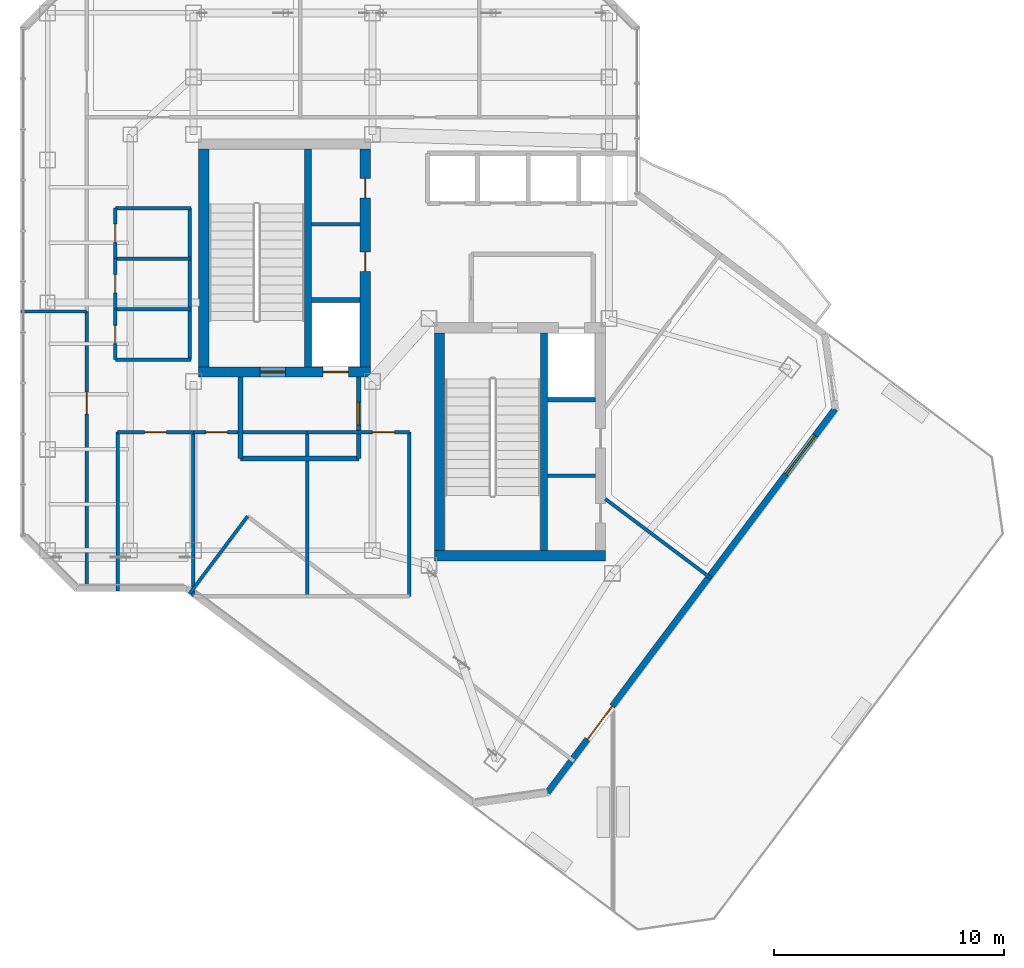
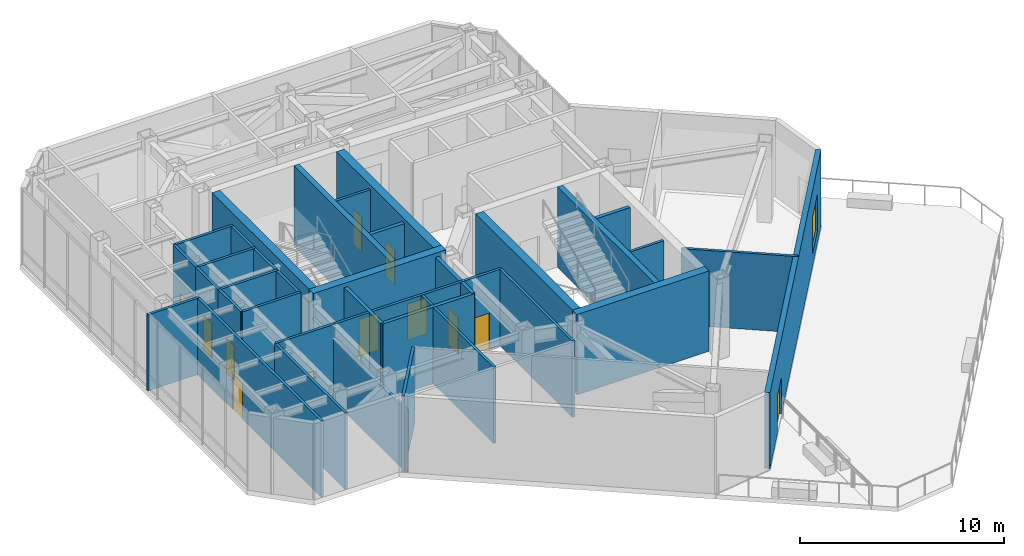
# One storey, part 16 of 21: 34 walls, 13 doors, 1 window, 14 openings.
"""IFC4 building model written with IfcOpenShell, lengths in metres."""

from ifc_helpers import new_model, si_unit, direction, frame, frame_2d, origin, place, context, subcontext, project, spatial, rectangle, extrude, material, layer, layer_set, type_object, element, fill, save


model = new_model("IFC4")

# Units and contexts
model_context = context("Model", 3, precision=1e-05, world=origin(), true_north=direction((0.0, 1.0)))
body_context = subcontext(model_context, "Body", "Model", "MODEL_VIEW")
ifc_project = project(units=[si_unit("LENGTHUNIT", "METRE"), si_unit("AREAUNIT", "SQUARE_METRE"), si_unit("VOLUMEUNIT", "CUBIC_METRE"), si_unit("PLANEANGLEUNIT", "RADIAN"), si_unit("MASSUNIT", "GRAM", prefix="KILO")], contexts=[model_context])

# Site, building, storey
site_placement = place(None, origin())
site = spatial("IfcSite", under=ifc_project, at=site_placement, CompositionType="ELEMENT")
building_placement = place(site_placement, origin())
building = spatial("IfcBuilding", under=site, at=building_placement, Name="Hatsunagi Terrace Concourse", CompositionType="ELEMENT")
storey_placement = place(building_placement, frame((0.0, 0.0, 234.75)))
storey = spatial("IfcBuildingStorey", under=building, at=storey_placement, Name="L62", CompositionType="ELEMENT", Elevation=234.75)

# Wall, openings, doors
ifc_material_1 = material(Name="Concrete Fc42", Category="concrete")
ifc_layer_1 = layer(ifc_material_1, 0.449951171875)
ifc_layer_set_1 = layer_set([ifc_layer_1], Name="CoreShearWall_Fc42_450")
wall_type_1 = type_object("IfcWallType", Name="CoreShearWall_Fc42_450", PredefinedType="SHEAR", material=ifc_layer_set_1)
wall_1_placement = place(storey_placement, frame((25.77001953125, 32.965087890625, 0.0), z_axis=(0.0, 0.0, 1.0), x_axis=(1.0, 0.0, 0.0)))
wall_1 = element("IfcWall", 1, at=wall_1_placement, inside=storey, type_object=wall_type_1, Name="Core A Shear Wall S L62", PredefinedType="SHEAR", context=body_context, shape_type="SweptSolid", body=[
    extrude(rectangle(XDim=7.47998046875, YDim=0.449951171875, at=frame_2d((3.739990234375, 0.0))), origin(), (0.0, 0.0, 1.0), 4.800048828125),
])
opening_1_placement = place(wall_1_placement, frame((2.679931640625, 0.0, 0.0)))
opening_1 = element("IfcOpeningElement", 2, at=opening_1_placement, cuts=wall_1, Name="Opening DR-110S", PredefinedType="OPENING", context=body_context, shape_type="SweptSolid", body=[
    extrude(rectangle(XDim=1.10009765625, YDim=2.199951171875, at=frame_2d((0.550048828125, 1.10009765625))), frame((0.0, 0.23486328125, 0.0), z_axis=(0.0, -1.0, 0.0), x_axis=(1.0, 0.0, 0.0)), (0.0, 0.0, 1.0), 0.469970703125),
])
opening_2_placement = place(wall_1_placement, frame((5.429931640625, 0.0, 0.0)))
opening_2 = element("IfcOpeningElement", 3, at=opening_2_placement, cuts=wall_1, Name="Opening LD-01", PredefinedType="OPENING", context=body_context, shape_type="SweptSolid", body=[
    extrude(rectangle(XDim=1.10009765625, YDim=2.14990234375, at=frame_2d((0.550048828125, 1.074951171875))), frame((0.0, 0.23486328125, 0.0), z_axis=(0.0, -1.0, 0.0), x_axis=(1.0, 0.0, 0.0)), (0.0, 0.0, 1.0), 0.469970703125),
])
ifc_material_2 = material(Name="Stainless steel", Category="steel")
door_type_1 = type_object("IfcDoorType", Name="LiftLandingDoor_LD01", OperationType="SLIDING_TO_LEFT", PredefinedType="USERDEFINED", material=ifc_material_2)
door_1_placement = place(opening_2_placement, origin())
door_1 = element("IfcDoor", 4, at=door_1_placement, inside=storey, type_object=door_type_1, Name="Lift landing door FF-01 L62", ObjectType="SLIDING_LANDING_DOOR", OperationType="SLIDING_TO_LEFT", OverallHeight=2.14990234375, OverallWidth=1.10009765625, PredefinedType="USERDEFINED", context=body_context, shape_type="SweptSolid", body=[
    extrude(rectangle(XDim=1.10009765625, YDim=2.14990234375, at=frame_2d((0.550048828125, 1.074951171875))), frame((0.0, 0.02490234375, 0.0), z_axis=(0.0, -1.0, 0.0), x_axis=(1.0, 0.0, 0.0)), (0.0, 0.0, 1.0), 0.050048828125),
])
fill(opening_2, door_1)
ifc_material_3 = material(Name="Painted steel", Category="steel")
door_type_2 = type_object("IfcDoorType", Name="StairFireDoor_EI60_1100", OperationType="NOTDEFINED", PredefinedType="DOOR", material=ifc_material_3)
door_2_placement = place(opening_1_placement, origin())
door_2 = element("IfcDoor", 5, at=door_2_placement, inside=storey, type_object=door_type_2, Name="Stair ST-A Exit Door L62", OperationType="SINGLE_SWING_LEFT", OverallHeight=2.199951171875, OverallWidth=1.10009765625, PredefinedType="DOOR", context=body_context, shape_type="SweptSolid", body=[
    extrude(rectangle(XDim=1.10009765625, YDim=2.199951171875, at=frame_2d((0.550048828125, 1.10009765625))), frame((0.0, 0.02490234375, 0.0), z_axis=(0.0, -1.0, 0.0), x_axis=(1.0, 0.0, 0.0)), (0.0, 0.0, 1.0), 0.050048828125),
])
fill(opening_1, door_2)

# Wall
wall_2_placement = place(storey_placement, frame((25.9951171875, 33.18994140625, 0.0), z_axis=(0.0, 0.0, 1.0), x_axis=(0.0, 1.0, 0.0)))
element("IfcWall", 6, at=wall_2_placement, inside=storey, type_object=wall_type_1, Name="Core A Shear Wall W L62", PredefinedType="SHEAR", context=body_context, shape_type="SweptSolid", body=[
    extrude(rectangle(XDim=9.47998046875, YDim=0.449951171875, at=frame_2d((4.739990234375, 0.0))), origin(), (0.0, 0.0, 1.0), 4.800048828125),
])

# Wall, openings, doors
wall_3_placement = place(storey_placement, frame((33.02490234375, 33.18994140625, 0.0), z_axis=(0.0, 0.0, 1.0), x_axis=(0.0, 1.0, 0.0)))
wall_3 = element("IfcWall", 7, at=wall_3_placement, inside=storey, type_object=wall_type_1, Name="Core A Shear Wall E L62", PredefinedType="SHEAR", context=body_context, shape_type="SweptSolid", body=[
    extrude(rectangle(XDim=9.47998046875, YDim=0.449951171875, at=frame_2d((4.739990234375, 0.0))), origin(), (0.0, 0.0, 1.0), 4.800048828125),
])
opening_3_placement = place(wall_3_placement, frame((4.159912109375, 0.0, 0.0)))
opening_3 = element("IfcOpeningElement", 8, at=opening_3_placement, cuts=wall_3, Name="Opening DR-085", PredefinedType="OPENING", context=body_context, shape_type="SweptSolid", body=[
    extrude(rectangle(XDim=0.85009765625, YDim=2.080078125, at=frame_2d((0.425048828125, 1.0400390625))), frame((0.0, 0.23486328125, 0.0), z_axis=(0.0, -1.0, 0.0), x_axis=(1.0, 0.0, 0.0)), (0.0, 0.0, 1.0), 0.469970703125),
])
opening_4_placement = place(wall_3_placement, frame((7.360107421875, 0.0, 0.0)))
opening_4 = element("IfcOpeningElement", 9, at=opening_4_placement, cuts=wall_3, Name="Opening DR-085", PredefinedType="OPENING", context=body_context, shape_type="SweptSolid", body=[
    extrude(rectangle(XDim=0.85009765625, YDim=2.080078125, at=frame_2d((0.425048828125, 1.0400390625))), frame((0.0, 0.23486328125, 0.0), z_axis=(0.0, -1.0, 0.0), x_axis=(1.0, 0.0, 0.0)), (0.0, 0.0, 1.0), 0.469970703125),
])
ifc_material_4 = material(Name="Painted steel", Category="steel")
door_type_3 = type_object("IfcDoorType", Name="RiserAccessDoor_EI60_850", OperationType="NOTDEFINED", PredefinedType="DOOR", material=ifc_material_4)
door_3_placement = place(opening_3_placement, origin())
door_3 = element("IfcDoor", 10, at=door_3_placement, inside=storey, type_object=door_type_3, Name="Core A Riser Door L62-1", OperationType="SINGLE_SWING_LEFT", OverallHeight=2.080078125, OverallWidth=0.85009765625, PredefinedType="DOOR", context=body_context, shape_type="SweptSolid", body=[
    extrude(rectangle(XDim=0.85009765625, YDim=2.080078125, at=frame_2d((0.425048828125, 1.0400390625))), frame((0.0, 0.02490234375, 0.0), z_axis=(0.0, -1.0, 0.0), x_axis=(1.0, 0.0, 0.0)), (0.0, 0.0, 1.0), 0.050048828125),
])
fill(opening_3, door_3)
door_4_placement = place(opening_4_placement, origin())
door_4 = element("IfcDoor", 11, at=door_4_placement, inside=storey, type_object=door_type_3, Name="Core A Riser Door L62-2", OperationType="SINGLE_SWING_LEFT", OverallHeight=2.080078125, OverallWidth=0.85009765625, PredefinedType="DOOR", context=body_context, shape_type="SweptSolid", body=[
    extrude(rectangle(XDim=0.85009765625, YDim=2.080078125, at=frame_2d((0.425048828125, 1.0400390625))), frame((0.0, 0.02490234375, 0.0), z_axis=(0.0, -1.0, 0.0), x_axis=(1.0, 0.0, 0.0)), (0.0, 0.0, 1.0), 0.050048828125),
])
fill(opening_4, door_4)

# Walls
wall_4_placement = place(storey_placement, frame((36.0400390625, 24.965087890625, 0.0), z_axis=(0.0, 0.0, 1.0), x_axis=(1.0, 0.0, 0.0)))
element("IfcWall", 12, at=wall_4_placement, inside=storey, type_object=wall_type_1, Name="Core B Shear Wall S L62", PredefinedType="SHEAR", context=body_context, shape_type="SweptSolid", body=[
    extrude(rectangle(XDim=7.4599609375, YDim=0.449951171875, at=frame_2d((3.72998046875, 0.0))), origin(), (0.0, 0.0, 1.0), 4.800048828125),
])
wall_5_placement = place(storey_placement, frame((36.264892578125, 25.18994140625, 0.0), z_axis=(0.0, 0.0, 1.0), x_axis=(0.0, 1.0, 0.0)))
element("IfcWall", 13, at=wall_5_placement, inside=storey, type_object=wall_type_1, Name="Core B Shear Wall W L62", PredefinedType="SHEAR", context=body_context, shape_type="SweptSolid", body=[
    extrude(rectangle(XDim=9.47998046875, YDim=0.449951171875, at=frame_2d((4.739990234375, 0.0))), origin(), (0.0, 0.0, 1.0), 4.800048828125),
])
ifc_material_5 = material(Name="Concrete Fc48", Category="concrete")
ifc_layer_2 = layer(ifc_material_5, 0.300048828125)
ifc_layer_set_2 = layer_set([ifc_layer_2], Name="CoreStairDivider_Fc48_300")
wall_type_2 = type_object("IfcWallType", Name="CoreStairDivider_Fc48_300", PredefinedType="SHEAR", material=ifc_layer_set_2)
for number, where, z_axis, x_axis, name in (
    (14, (30.5400390625, 33.18994140625, 0.0), (0.0, 0.0, 1.0), (0.0, 1.0, 0.0), "Core A Shear Wall D L62"),
    (15, (40.81005859375, 25.18994140625, 0.0), (0.0, 0.0, 1.0), (0.0, 1.0, 0.0), "Core B Shear Wall D L62"),
):
    element("IfcWall", number, at=place(storey_placement, frame(where, z_axis=z_axis, x_axis=x_axis)), inside=storey, type_object=wall_type_2, Name=name, PredefinedType="SHEAR", context=body_context, shape_type="SweptSolid", body=[
        extrude(rectangle(XDim=9.47998046875, YDim=0.300048828125, at=frame_2d((4.739990234375, 0.0))), origin(), (0.0, 0.0, 1.0), 4.800048828125),
    ])
ifc_material_6 = material(Name="Acoustic mineral board", Category="gypsum")
ifc_layer_3 = layer(ifc_material_6, 0.14990234375)
ifc_layer_set_3 = layer_set([ifc_layer_3], Name="PartitionWall_EI60_150")
wall_type_3 = type_object("IfcWallType", Name="PartitionWall_EI60_150", PredefinedType="PARTITIONING", material=ifc_layer_set_3)
wall_6_placement = place(storey_placement, frame((30.699951171875, 39.39990234375, 0.0), z_axis=(0.0, 0.0, 1.0), x_axis=(1.0, 0.0, 0.0)))
element("IfcWall", 16, at=wall_6_placement, inside=storey, type_object=wall_type_3, Name="Interior Partition IW-L62-002", PredefinedType="PARTITIONING", context=body_context, shape_type="SweptSolid", body=[
    extrude(rectangle(XDim=2.10009765625, YDim=0.14990234375, at=frame_2d((1.050048828125, 0.0))), origin(), (0.0, 0.0, 1.0), 4.550048828125),
])
wall_7_placement = place(storey_placement, frame((40.969970703125, 28.449951171875, 0.0), z_axis=(0.0, 0.0, 1.0), x_axis=(1.0, 0.0, 0.0)))
element("IfcWall", 17, at=wall_7_placement, inside=storey, type_object=wall_type_3, Name="Interior Partition IW-L62-004", PredefinedType="PARTITIONING", context=body_context, shape_type="SweptSolid", body=[
    extrude(rectangle(XDim=2.080078125, YDim=0.14990234375, at=frame_2d((1.0400390625, 0.0))), origin(), (0.0, 0.0, 1.0), 4.550048828125),
])
for number, where, z_axis, x_axis, name in (
    (18, (22.14990234375, 33.5, 0.0), (0.0, 0.0, 1.0), (1.0, 0.0, 0.0), "Interior Partition IW-L62-017"),
    (19, (22.14990234375, 40.10009765625, 0.0), (0.0, 0.0, 1.0), (1.0, 0.0, 0.0), "Interior Partition IW-L62-018"),
):
    element("IfcWall", number, at=place(storey_placement, frame(where, z_axis=z_axis, x_axis=x_axis)), inside=storey, type_object=wall_type_3, Name=name, PredefinedType="PARTITIONING", context=body_context, shape_type="SweptSolid", body=[
        extrude(rectangle(XDim=3.300048828125, YDim=0.14990234375, at=frame_2d((1.64990234375, 0.0))), origin(), (0.0, 0.0, 1.0), 4.550048828125),
    ])
wall_8_placement = place(storey_placement, frame((25.39990234375, 33.5, 0.0), z_axis=(0.0, 0.0, 1.0), x_axis=(0.0, 1.0, 0.0)))
element("IfcWall", 20, at=wall_8_placement, inside=storey, type_object=wall_type_3, Name="Interior Partition IW-L62-019", PredefinedType="PARTITIONING", context=body_context, shape_type="SweptSolid", body=[
    extrude(rectangle(XDim=6.60009765625, YDim=0.14990234375, at=frame_2d((3.300048828125, 0.0))), origin(), (0.0, 0.0, 1.0), 4.550048828125),
])
for number, where, z_axis, x_axis, name in (
    (21, (22.14990234375, 35.699951171875, 0.0), (0.0, 0.0, 1.0), (1.0, 0.0, 0.0), "Interior Partition IW-L62-020"),
    (22, (22.14990234375, 37.89990234375, 0.0), (0.0, 0.0, 1.0), (1.0, 0.0, 0.0), "Interior Partition IW-L62-021"),
):
    element("IfcWall", number, at=place(storey_placement, frame(where, z_axis=z_axis, x_axis=x_axis)), inside=storey, type_object=wall_type_3, Name=name, PredefinedType="PARTITIONING", context=body_context, shape_type="SweptSolid", body=[
        extrude(rectangle(XDim=3.300048828125, YDim=0.14990234375, at=frame_2d((1.64990234375, 0.0))), origin(), (0.0, 0.0, 1.0), 4.550048828125),
    ])

# Wall, opening, door
wall_9_placement = place(storey_placement, frame((22.14990234375, 33.5, 0.0), z_axis=(0.0, 0.0, 1.0), x_axis=(0.0, 1.0, 0.0)))
wall_9 = element("IfcWall", 23, at=wall_9_placement, inside=storey, type_object=wall_type_3, Name="Interior Partition IW-L62-022", PredefinedType="PARTITIONING", context=body_context, shape_type="SweptSolid", body=[
    extrude(rectangle(XDim=2.199951171875, YDim=0.14990234375, at=frame_2d((1.10009765625, 0.0))), origin(), (0.0, 0.0, 1.0), 4.550048828125),
])
opening_5_placement = place(wall_9_placement, frame((0.699951171875, 0.0, 0.0)))
opening_5 = element("IfcOpeningElement", 24, at=opening_5_placement, cuts=wall_9, Name="Opening DR-080", PredefinedType="OPENING", context=body_context, shape_type="SweptSolid", body=[
    extrude(rectangle(XDim=0.800048828125, YDim=2.06005859375, at=frame_2d((0.39990234375, 1.030029296875))), frame((0.0, 0.0849609375, 0.0), z_axis=(0.0, -1.0, 0.0), x_axis=(1.0, 0.0, 0.0)), (0.0, 0.0, 1.0), 0.169921875),
])
ifc_material_7 = material(Name="Hardwood timber", Category="wood")
door_type_4 = type_object("IfcDoorType", Name="BathroomDoor_800", OperationType="NOTDEFINED", PredefinedType="DOOR", material=ifc_material_7)
door_5_placement = place(opening_5_placement, origin())
door_5 = element("IfcDoor", 25, at=door_5_placement, inside=storey, type_object=door_type_4, Name="Accessible WC Door L62", OperationType="SINGLE_SWING_RIGHT", OverallHeight=2.06005859375, OverallWidth=0.800048828125, PredefinedType="DOOR", context=body_context, shape_type="SweptSolid", body=[
    extrude(rectangle(XDim=0.800048828125, YDim=2.06005859375, at=frame_2d((0.39990234375, 1.030029296875))), frame((0.0, 0.02490234375, 0.0), z_axis=(0.0, -1.0, 0.0), x_axis=(1.0, 0.0, 0.0)), (0.0, 0.0, 1.0), 0.050048828125),
])
fill(opening_5, door_5)

wall_10_placement = place(storey_placement, frame((22.14990234375, 35.699951171875, 0.0), z_axis=(0.0, 0.0, 1.0), x_axis=(0.0, 1.0, 0.0)))
wall_10 = element("IfcWall", 26, at=wall_10_placement, inside=storey, type_object=wall_type_3, Name="Interior Partition IW-L62-023", PredefinedType="PARTITIONING", context=body_context, shape_type="SweptSolid", body=[
    extrude(rectangle(XDim=2.199951171875, YDim=0.14990234375, at=frame_2d((1.10009765625, 0.0))), origin(), (0.0, 0.0, 1.0), 4.550048828125),
])
opening_6_placement = place(wall_10_placement, frame((0.699951171875, 0.0, 0.0)))
opening_6 = element("IfcOpeningElement", 27, at=opening_6_placement, cuts=wall_10, Name="Opening DR-080", PredefinedType="OPENING", context=body_context, shape_type="SweptSolid", body=[
    extrude(rectangle(XDim=0.800048828125, YDim=2.06005859375, at=frame_2d((0.39990234375, 1.030029296875))), frame((0.0, 0.0849609375, 0.0), z_axis=(0.0, -1.0, 0.0), x_axis=(1.0, 0.0, 0.0)), (0.0, 0.0, 1.0), 0.169921875),
])
door_6_placement = place(opening_6_placement, origin())
door_6 = element("IfcDoor", 28, at=door_6_placement, inside=storey, type_object=door_type_4, Name="Female Restroom Door L62", OperationType="SINGLE_SWING_RIGHT", OverallHeight=2.06005859375, OverallWidth=0.800048828125, PredefinedType="DOOR", context=body_context, shape_type="SweptSolid", body=[
    extrude(rectangle(XDim=0.800048828125, YDim=2.06005859375, at=frame_2d((0.39990234375, 1.030029296875))), frame((0.0, 0.02490234375, 0.0), z_axis=(0.0, -1.0, 0.0), x_axis=(1.0, 0.0, 0.0)), (0.0, 0.0, 1.0), 0.050048828125),
])
fill(opening_6, door_6)

wall_11_placement = place(storey_placement, frame((22.14990234375, 37.89990234375, 0.0), z_axis=(0.0, 0.0, 1.0), x_axis=(0.0, 1.0, 0.0)))
wall_11 = element("IfcWall", 29, at=wall_11_placement, inside=storey, type_object=wall_type_3, Name="Interior Partition IW-L62-024", PredefinedType="PARTITIONING", context=body_context, shape_type="SweptSolid", body=[
    extrude(rectangle(XDim=2.2001953125, YDim=0.14990234375, at=frame_2d((1.10009765625, 0.0))), origin(), (0.0, 0.0, 1.0), 4.550048828125),
])
opening_7_placement = place(wall_11_placement, frame((0.699951171875, 0.0, 0.0)))
opening_7 = element("IfcOpeningElement", 30, at=opening_7_placement, cuts=wall_11, Name="Opening DR-080", PredefinedType="OPENING", context=body_context, shape_type="SweptSolid", body=[
    extrude(rectangle(XDim=0.800048828125, YDim=2.06005859375, at=frame_2d((0.39990234375, 1.030029296875))), frame((0.0, 0.0849609375, 0.0), z_axis=(0.0, -1.0, 0.0), x_axis=(1.0, 0.0, 0.0)), (0.0, 0.0, 1.0), 0.169921875),
])
door_7_placement = place(opening_7_placement, origin())
door_7 = element("IfcDoor", 31, at=door_7_placement, inside=storey, type_object=door_type_4, Name="Male Restroom Door L62", OperationType="SINGLE_SWING_RIGHT", OverallHeight=2.06005859375, OverallWidth=0.800048828125, PredefinedType="DOOR", context=body_context, shape_type="SweptSolid", body=[
    extrude(rectangle(XDim=0.800048828125, YDim=2.06005859375, at=frame_2d((0.39990234375, 1.030029296875))), frame((0.0, 0.02490234375, 0.0), z_axis=(0.0, -1.0, 0.0), x_axis=(1.0, 0.0, 0.0)), (0.0, 0.0, 1.0), 0.050048828125),
])
fill(opening_7, door_7)

wall_12_placement = place(storey_placement, frame((25.550048828125, 30.35009765625, 0.0), z_axis=(0.0, 0.0, 1.0), x_axis=(1.0, 0.0, 0.0)))
wall_12 = element("IfcWall", 32, at=wall_12_placement, inside=storey, type_object=wall_type_3, Name="Interior Partition IW-L62-026", PredefinedType="PARTITIONING", context=body_context, shape_type="SweptSolid", body=[
    extrude(rectangle(XDim=4.949951171875, YDim=0.14990234375, at=frame_2d((2.47509765625, 0.0))), origin(), (0.0, 0.0, 1.0), 4.550048828125),
])
opening_8_placement = place(wall_12_placement, frame((0.5419921875, 0.0, 0.0)))
opening_8 = element("IfcOpeningElement", 33, at=opening_8_placement, cuts=wall_12, Name="Opening DR-095", PredefinedType="OPENING", context=body_context, shape_type="SweptSolid", body=[
    extrude(rectangle(XDim=0.949951171875, YDim=2.14990234375, at=frame_2d((0.47509765625, 1.074951171875))), frame((0.0, 0.0849609375, 0.0), z_axis=(0.0, -1.0, 0.0), x_axis=(1.0, 0.0, 0.0)), (0.0, 0.0, 1.0), 0.169921875),
])
ifc_material_8 = material(Name="Hardwood timber", Category="wood")
door_type_5 = type_object("IfcDoorType", Name="InteriorSuiteDoor_EI30_950", OperationType="NOTDEFINED", PredefinedType="DOOR", material=ifc_material_8)
door_8_placement = place(opening_8_placement, origin())
door_8 = element("IfcDoor", 34, at=door_8_placement, inside=storey, type_object=door_type_5, Name="Breakout Pantry L62-RECL1 Door", OperationType="SINGLE_SWING_RIGHT", OverallHeight=2.14990234375, OverallWidth=0.949951171875, PredefinedType="DOOR", context=body_context, shape_type="SweptSolid", body=[
    extrude(rectangle(XDim=0.949951171875, YDim=2.14990234375, at=frame_2d((0.47509765625, 1.074951171875))), frame((0.0, 0.02490234375, 0.0), z_axis=(0.0, -1.0, 0.0), x_axis=(1.0, 0.0, 0.0)), (0.0, 0.0, 1.0), 0.050048828125),
])
fill(opening_8, door_8)

# Walls
wall_13_placement = place(storey_placement, frame((25.550048828125, 23.199951171875, 0.0), z_axis=(0.0, 0.0, 1.0), x_axis=(0.0, 1.0, 0.0)))
element("IfcWall", 35, at=wall_13_placement, inside=storey, type_object=wall_type_3, Name="Interior Partition IW-L62-027", PredefinedType="PARTITIONING", context=body_context, shape_type="SweptSolid", body=[
    extrude(rectangle(XDim=7.150146484375, YDim=0.14990234375, at=frame_2d((3.5751953125, 0.0))), origin(), (0.0, 0.0, 1.0), 3.7451171875),
])
wall_14_placement = place(storey_placement, frame((30.5, 23.199951171875, 0.0), z_axis=(0.0, 0.0, 1.0), x_axis=(0.0, 1.0, 0.0)))
element("IfcWall", 36, at=wall_14_placement, inside=storey, type_object=wall_type_3, Name="Interior Partition IW-L62-028", PredefinedType="PARTITIONING", context=body_context, shape_type="SweptSolid", body=[
    extrude(rectangle(XDim=7.150146484375, YDim=0.14990234375, at=frame_2d((3.5751953125, 0.0))), origin(), (0.0, 0.0, 1.0), 4.550048828125),
])

# Wall, opening, door
wall_15_placement = place(storey_placement, frame((30.5, 30.35009765625, 0.0), z_axis=(0.0, 0.0, 1.0), x_axis=(1.0, 0.0, 0.0)))
wall_15 = element("IfcWall", 37, at=wall_15_placement, inside=storey, type_object=wall_type_3, Name="Interior Partition IW-L62-030", PredefinedType="PARTITIONING", context=body_context, shape_type="SweptSolid", body=[
    extrude(rectangle(XDim=4.449951171875, YDim=0.14990234375, at=frame_2d((2.22509765625, 0.0))), origin(), (0.0, 0.0, 1.0), 4.550048828125),
])
opening_9_placement = place(wall_15_placement, frame((2.845947265625, 0.0, 0.0)))
opening_9 = element("IfcOpeningElement", 38, at=opening_9_placement, cuts=wall_15, Name="Opening DR-095", PredefinedType="OPENING", context=body_context, shape_type="SweptSolid", body=[
    extrude(rectangle(XDim=0.949951171875, YDim=2.14990234375, at=frame_2d((0.47509765625, 1.074951171875))), frame((0.0, 0.0849609375, 0.0), z_axis=(0.0, -1.0, 0.0), x_axis=(1.0, 0.0, 0.0)), (0.0, 0.0, 1.0), 0.169921875),
])
door_9_placement = place(opening_9_placement, origin())
door_9 = element("IfcDoor", 39, at=door_9_placement, inside=storey, type_object=door_type_5, Name="Focus Room L62-RECL2 Door", OperationType="SINGLE_SWING_RIGHT", OverallHeight=2.14990234375, OverallWidth=0.949951171875, PredefinedType="DOOR", context=body_context, shape_type="SweptSolid", body=[
    extrude(rectangle(XDim=0.949951171875, YDim=2.14990234375, at=frame_2d((0.47509765625, 1.074951171875))), frame((0.0, 0.02490234375, 0.0), z_axis=(0.0, -1.0, 0.0), x_axis=(1.0, 0.0, 0.0)), (0.0, 0.0, 1.0), 0.050048828125),
])
fill(opening_9, door_9)

# Walls
wall_16_placement = place(storey_placement, frame((34.949951171875, 23.199951171875, 0.0), z_axis=(0.0, 0.0, 1.0), x_axis=(0.0, 1.0, 0.0)))
element("IfcWall", 40, at=wall_16_placement, inside=storey, type_object=wall_type_3, Name="Interior Partition IW-L62-031", PredefinedType="PARTITIONING", context=body_context, shape_type="SweptSolid", body=[
    extrude(rectangle(XDim=7.150146484375, YDim=0.14990234375, at=frame_2d((3.5751953125, 0.0))), origin(), (0.0, 0.0, 1.0), 4.550048828125),
])
wall_17_placement = place(storey_placement, frame((18.0400390625, 35.60009765625, 0.0), z_axis=(0.0, 0.0, 1.0), x_axis=(1.0, 0.0, 0.0)))
element("IfcWall", 41, at=wall_17_placement, inside=storey, type_object=wall_type_3, Name="Interior Partition IW-L62-032", PredefinedType="PARTITIONING", context=body_context, shape_type="SweptSolid", body=[
    extrude(rectangle(XDim=2.85986328125, YDim=0.14990234375, at=frame_2d((1.429931640625, 0.0))), origin(), (0.0, 0.0, 1.0), 4.550048828125),
])

# Wall, opening, door
wall_18_placement = place(storey_placement, frame((20.89990234375, 23.43994140625, 0.0), z_axis=(0.0, 0.0, 1.0), x_axis=(0.0, 1.0, 0.0)))
wall_18 = element("IfcWall", 42, at=wall_18_placement, inside=storey, type_object=wall_type_3, Name="Interior Partition IW-L62-033", PredefinedType="PARTITIONING", context=body_context, shape_type="SweptSolid", body=[
    extrude(rectangle(XDim=12.16015625, YDim=0.14990234375, at=frame_2d((6.080078125, 0.0))), origin(), (0.0, 0.0, 1.0), 4.550048828125),
])
opening_10_placement = place(wall_18_placement, frame((7.695068359375, 0.0, 0.0)))
opening_10 = element("IfcOpeningElement", 43, at=opening_10_placement, cuts=wall_18, Name="Opening DR-095", PredefinedType="OPENING", context=body_context, shape_type="SweptSolid", body=[
    extrude(rectangle(XDim=0.949951171875, YDim=2.14990234375, at=frame_2d((0.47509765625, 1.074951171875))), frame((0.0, 0.0849609375, 0.0), z_axis=(0.0, -1.0, 0.0), x_axis=(1.0, 0.0, 0.0)), (0.0, 0.0, 1.0), 0.169921875),
])
door_10_placement = place(opening_10_placement, origin())
door_10 = element("IfcDoor", 44, at=door_10_placement, inside=storey, type_object=door_type_5, Name="Open Plan Office L62-OW1 Door", OperationType="SINGLE_SWING_RIGHT", OverallHeight=2.14990234375, OverallWidth=0.949951171875, PredefinedType="DOOR", context=body_context, shape_type="SweptSolid", body=[
    extrude(rectangle(XDim=0.949951171875, YDim=2.14990234375, at=frame_2d((0.47509765625, 1.074951171875))), frame((0.0, 0.02490234375, 0.0), z_axis=(0.0, -1.0, 0.0), x_axis=(1.0, 0.0, 0.0)), (0.0, 0.0, 1.0), 0.050048828125),
])
fill(opening_10, door_10)

# Wall
wall_19_placement = place(storey_placement, frame((43.47998046875, 27.43994140625, 0.0), z_axis=(0.0, 0.0, 1.0), x_axis=(0.79998982729, -0.600013563374, 0.0)))
element("IfcWall", 45, at=wall_19_placement, inside=storey, type_object=wall_type_3, Name="Interior Partition IW-L62-040", PredefinedType="PARTITIONING", context=body_context, shape_type="SweptSolid", body=[
    extrude(rectangle(XDim=5.760009765625, YDim=0.14990234375, at=frame_2d((2.8798828125, 0.0))), origin(), (0.0, 0.0, 1.0), 4.550048828125),
])

# Wall, opening, door
wall_20_placement = place(storey_placement, frame((22.25, 30.35009765625, 0.0), z_axis=(0.0, 0.0, 1.0), x_axis=(1.0, 0.0, 0.0)))
wall_20 = element("IfcWall", 46, at=wall_20_placement, inside=storey, type_object=wall_type_3, Name="Interior Partition IW-L62-042", PredefinedType="PARTITIONING", context=body_context, shape_type="SweptSolid", body=[
    extrude(rectangle(XDim=3.300048828125, YDim=0.14990234375, at=frame_2d((1.64990234375, 0.0))), origin(), (0.0, 0.0, 1.0), 4.550048828125),
])
opening_11_placement = place(wall_20_placement, frame((1.175048828125, 0.0, 0.0)))
opening_11 = element("IfcOpeningElement", 47, at=opening_11_placement, cuts=wall_20, Name="Opening DR-095", PredefinedType="OPENING", context=body_context, shape_type="SweptSolid", body=[
    extrude(rectangle(XDim=0.949951171875, YDim=2.14990234375, at=frame_2d((0.47509765625, 1.074951171875))), frame((0.0, 0.0849609375, 0.0), z_axis=(0.0, -1.0, 0.0), x_axis=(1.0, 0.0, 0.0)), (0.0, 0.0, 1.0), 0.169921875),
])
door_11_placement = place(opening_11_placement, origin())
door_11 = element("IfcDoor", 48, at=door_11_placement, inside=storey, type_object=door_type_5, Name="Private Salon L62-OCSW Door", OperationType="SINGLE_SWING_RIGHT", OverallHeight=2.14990234375, OverallWidth=0.949951171875, PredefinedType="DOOR", context=body_context, shape_type="SweptSolid", body=[
    extrude(rectangle(XDim=0.949951171875, YDim=2.14990234375, at=frame_2d((0.47509765625, 1.074951171875))), frame((0.0, 0.02490234375, 0.0), z_axis=(0.0, -1.0, 0.0), x_axis=(1.0, 0.0, 0.0)), (0.0, 0.0, 1.0), 0.050048828125),
])
fill(opening_11, door_11)

# Walls
wall_21_placement = place(storey_placement, frame((22.25, 23.43994140625, 0.0), z_axis=(0.0, 0.0, 1.0), x_axis=(0.0, 1.0, 0.0)))
element("IfcWall", 49, at=wall_21_placement, inside=storey, type_object=wall_type_3, Name="Interior Partition IW-L62-043", PredefinedType="PARTITIONING", context=body_context, shape_type="SweptSolid", body=[
    extrude(rectangle(XDim=6.91015625, YDim=0.14990234375, at=frame_2d((3.455078125, 0.0))), origin(), (0.0, 0.0, 1.0), 4.550048828125),
])
wall_22_placement = place(storey_placement, frame((25.384033203125, 23.31201171875, 0.0), z_axis=(0.0, 0.0, 1.0), x_axis=(0.599990721155, 0.80000695905, 0.0)))
element("IfcWall", 50, at=wall_22_placement, inside=storey, type_object=wall_type_3, Name="Interior Partition IW-L62-045", PredefinedType="PARTITIONING", context=body_context, shape_type="SweptSolid", body=[
    extrude(rectangle(XDim=4.2099609375, YDim=0.14990234375, at=frame_2d((2.10498046875, 0.0))), origin(), (0.0, 0.0, 1.0), 4.550048828125),
])
ifc_material_9 = material(Name="Acoustic mineral board", Category="gypsum")
ifc_layer_4 = layer(ifc_material_9, 0.199951171875)
ifc_layer_set_4 = layer_set([ifc_layer_4], Name="ShaftWall_EI120_200")
wall_type_4 = type_object("IfcWallType", Name="ShaftWall_EI120_200", PredefinedType="STANDARD", material=ifc_layer_set_4)
wall_23_placement = place(storey_placement, frame((30.699951171875, 36.10009765625, 0.0), z_axis=(0.0, 0.0, 1.0), x_axis=(1.0, 0.0, 0.0)))
element("IfcWall", 51, at=wall_23_placement, inside=storey, type_object=wall_type_4, Name="Interior Partition IW-L62-001", PredefinedType="STANDARD", context=body_context, shape_type="SweptSolid", body=[
    extrude(rectangle(XDim=2.10009765625, YDim=0.199951171875, at=frame_2d((1.050048828125, 0.0))), origin(), (0.0, 0.0, 1.0), 4.550048828125),
])
wall_24_placement = place(storey_placement, frame((40.969970703125, 31.760009765625, 0.0), z_axis=(0.0, 0.0, 1.0), x_axis=(1.0, 0.0, 0.0)))
element("IfcWall", 52, at=wall_24_placement, inside=storey, type_object=wall_type_4, Name="Interior Partition IW-L62-003", PredefinedType="STANDARD", context=body_context, shape_type="SweptSolid", body=[
    extrude(rectangle(XDim=2.080078125, YDim=0.199951171875, at=frame_2d((1.0400390625, 0.0))), origin(), (0.0, 0.0, 1.0), 4.550048828125),
])
wall_25_placement = place(storey_placement, frame((27.60009765625, 29.199951171875, 0.0), z_axis=(0.0, 0.0, 1.0), x_axis=(1.0, 0.0, 0.0)))
element("IfcWall", 53, at=wall_25_placement, inside=storey, type_object=wall_type_4, Name="Interior Partition IW-L62-005", PredefinedType="STANDARD", context=body_context, shape_type="SweptSolid", body=[
    extrude(rectangle(XDim=5.14990234375, YDim=0.199951171875, at=frame_2d((2.574951171875, 0.0))), origin(), (0.0, 0.0, 1.0), 4.550048828125),
])
wall_26_placement = place(storey_placement, frame((27.60009765625, 29.199951171875, 0.0), z_axis=(0.0, 0.0, 1.0), x_axis=(0.0, 1.0, 0.0)))
element("IfcWall", 54, at=wall_26_placement, inside=storey, type_object=wall_type_4, Name="Interior Partition IW-L62-006", PredefinedType="STANDARD", context=body_context, shape_type="SweptSolid", body=[
    extrude(rectangle(XDim=3.5400390625, YDim=0.199951171875, at=frame_2d((1.77001953125, 0.0))), origin(), (0.0, 0.0, 1.0), 4.550048828125),
])

# Wall, opening, door
wall_27_placement = place(storey_placement, frame((32.75, 29.199951171875, 0.0), z_axis=(0.0, 0.0, 1.0), x_axis=(0.0, 1.0, 0.0)))
wall_27 = element("IfcWall", 55, at=wall_27_placement, inside=storey, type_object=wall_type_4, Name="Interior Partition IW-L62-007", PredefinedType="STANDARD", context=body_context, shape_type="SweptSolid", body=[
    extrude(rectangle(XDim=3.5400390625, YDim=0.199951171875, at=frame_2d((1.77001953125, 0.0))), origin(), (0.0, 0.0, 1.0), 4.550048828125),
])
opening_12_placement = place(wall_27_placement, frame((1.449951171875, 0.0, 0.0)))
opening_12 = element("IfcOpeningElement", 56, at=opening_12_placement, cuts=wall_27, Name="Opening DR-100F", PredefinedType="OPENING", context=body_context, shape_type="SweptSolid", body=[
    extrude(rectangle(XDim=1.0, YDim=2.199951171875, at=frame_2d((0.5, 1.10009765625))), frame((0.0, 0.10986328125, 0.0), z_axis=(0.0, -1.0, 0.0), x_axis=(1.0, 0.0, 0.0)), (0.0, 0.0, 1.0), 0.219970703125),
])
ifc_material_10 = material(Name="Painted steel", Category="steel")
door_type_6 = type_object("IfcDoorType", Name="FireDoor_EI60_1000", OperationType="NOTDEFINED", PredefinedType="DOOR", material=ifc_material_10)
door_12_placement = place(opening_12_placement, origin())
door_12 = element("IfcDoor", 57, at=door_12_placement, inside=storey, type_object=door_type_6, Name="Firefighting Lobby A Door L62", OperationType="SINGLE_SWING_RIGHT", OverallHeight=2.199951171875, OverallWidth=1.0, PredefinedType="DOOR", context=body_context, shape_type="SweptSolid", body=[
    extrude(rectangle(XDim=1.0, YDim=2.199951171875, at=frame_2d((0.5, 1.10009765625))), frame((0.0, 0.02490234375, 0.0), z_axis=(0.0, -1.0, 0.0), x_axis=(1.0, 0.0, 0.0)), (0.0, 0.0, 1.0), 0.050048828125),
])
fill(opening_12, door_12)

# Wall, openings, window, door
ifc_material_11 = material(Name="Autoclaved Lightweight Concrete and Terracotta Cladding", Category="masonry")
ifc_layer_5 = layer(ifc_material_11, 0.280029296875)
ifc_layer_set_5 = layer_set([ifc_layer_5], Name="TerracottaSpandrelWall_280")
wall_type_5 = type_object("IfcWallType", Name="TerracottaSpandrelWall_280", PredefinedType="STANDARD", material=ifc_layer_set_5)
wall_28_placement = place(storey_placement, frame((53.492919921875, 31.35791015625, 0.0), z_axis=(0.0, 0.0, 1.0), x_axis=(-0.599970072971, -0.800022444397, 0.0)))
wall_28 = element("IfcWall", 58, at=wall_28_placement, inside=storey, type_object=wall_type_5, Name="Exterior Spandrel Wall EW-L62-03", PredefinedType="STANDARD", context=body_context, shape_type="SweptSolid", body=[
    extrude(rectangle(XDim=20.884521484375, YDim=0.280029296875, at=frame_2d((10.4423828125, 0.0))), origin(), (0.0, 0.0, 1.0), 4.550048828125),
])
opening_13_placement = place(wall_28_placement, frame((16.180908203125, 0.0, 0.0)))
opening_13 = element("IfcOpeningElement", 59, at=opening_13_placement, cuts=wall_28, Name="Opening TD-01", PredefinedType="OPENING", context=body_context, shape_type="SweptSolid", body=[
    extrude(rectangle(XDim=1.800048828125, YDim=2.25, at=frame_2d((0.89990234375, 1.125))), frame((0.0, 0.14990234375, 0.0), z_axis=(0.0, -1.0, 0.0), x_axis=(1.0, 0.0, 0.0)), (0.0, 0.0, 1.0), 0.300048828125),
])
opening_14_placement = place(wall_28_placement, frame((1.4560546875, 0.0, 0.75)))
opening_14 = element("IfcOpeningElement", 60, at=opening_14_placement, cuts=wall_28, Name="Opening WIN-04", PredefinedType="OPENING", context=body_context, shape_type="SweptSolid", body=[
    extrude(rectangle(XDim=2.10009765625, YDim=2.199951171875, at=frame_2d((1.050048828125, 1.10009765625))), frame((0.0, 0.14990234375, 0.0), z_axis=(0.0, -1.0, 0.0), x_axis=(1.0, 0.0, 0.0)), (0.0, 0.0, 1.0), 0.300048828125),
])
ifc_material_12 = material(Name="Thermally Broken Aluminium and Low-E Triple Glazing", Category="aluminium")
window_type = type_object("IfcWindowType", Name="SkyGardenConservatoryWindow_2100x2200", PartitioningType="DOUBLE_PANEL_HORIZONTAL", PredefinedType="WINDOW", material=ifc_material_12)
window_placement = place(opening_14_placement, origin())
window = element("IfcWindow", 61, at=window_placement, inside=storey, type_object=window_type, Name="Terrace Panorama Window L62-03", OverallHeight=2.199951171875, OverallWidth=2.10009765625, PartitioningType="SINGLE_PANEL", PredefinedType="WINDOW", context=body_context, shape_type="SweptSolid", body=[
    extrude(rectangle(XDim=2.10009765625, YDim=2.199951171875, at=frame_2d((1.050048828125, 1.10009765625))), frame((0.0, 0.030029296875, 0.0), z_axis=(0.0, -1.0, 0.0), x_axis=(1.0, 0.0, 0.0)), (0.0, 0.0, 1.0), 0.06005859375),
])
fill(opening_14, window)
ifc_material_13 = material(Name="Galvanised Steel and Laminated Safety Glass", Category="steel")
door_type_7 = type_object("IfcDoorType", Name="SkyGardenDoubleTerraceDoor_1800x2250", OperationType="DOUBLE_DOOR_SINGLE_SWING", PredefinedType="DOOR", material=ifc_material_13)
door_13_placement = place(opening_13_placement, origin())
door_13 = element("IfcDoor", 62, at=door_13_placement, inside=storey, type_object=door_type_7, Name="Sky Garden Terrace Door TER-L62-1", OperationType="DOUBLE_DOOR_SINGLE_SWING", OverallHeight=2.25, OverallWidth=1.800048828125, PredefinedType="DOOR", context=body_context, shape_type="SweptSolid", body=[
    extrude(rectangle(XDim=1.800048828125, YDim=2.25, at=frame_2d((0.89990234375, 1.125))), frame((0.0, 0.02490234375, 0.0), z_axis=(0.0, -1.0, 0.0), x_axis=(1.0, 0.0, 0.0)), (0.0, 0.0, 1.0), 0.050048828125),
])
fill(opening_13, door_13)

save(model, "model.ifc")
